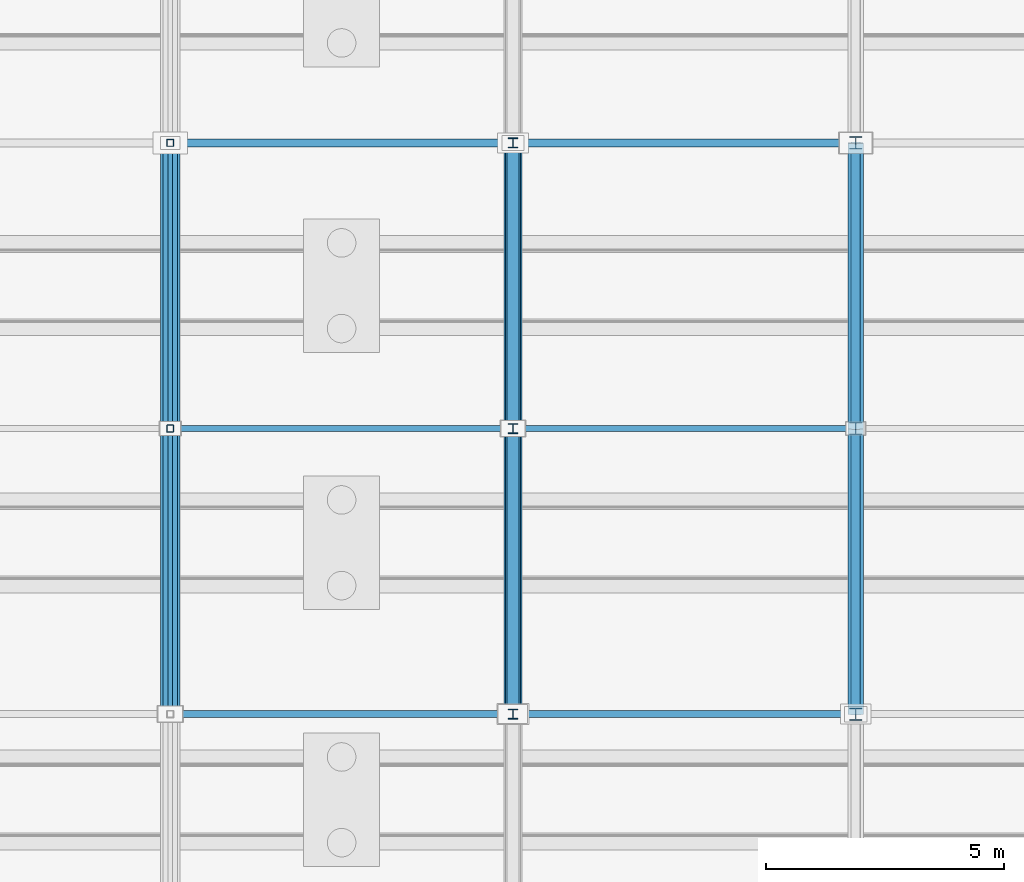
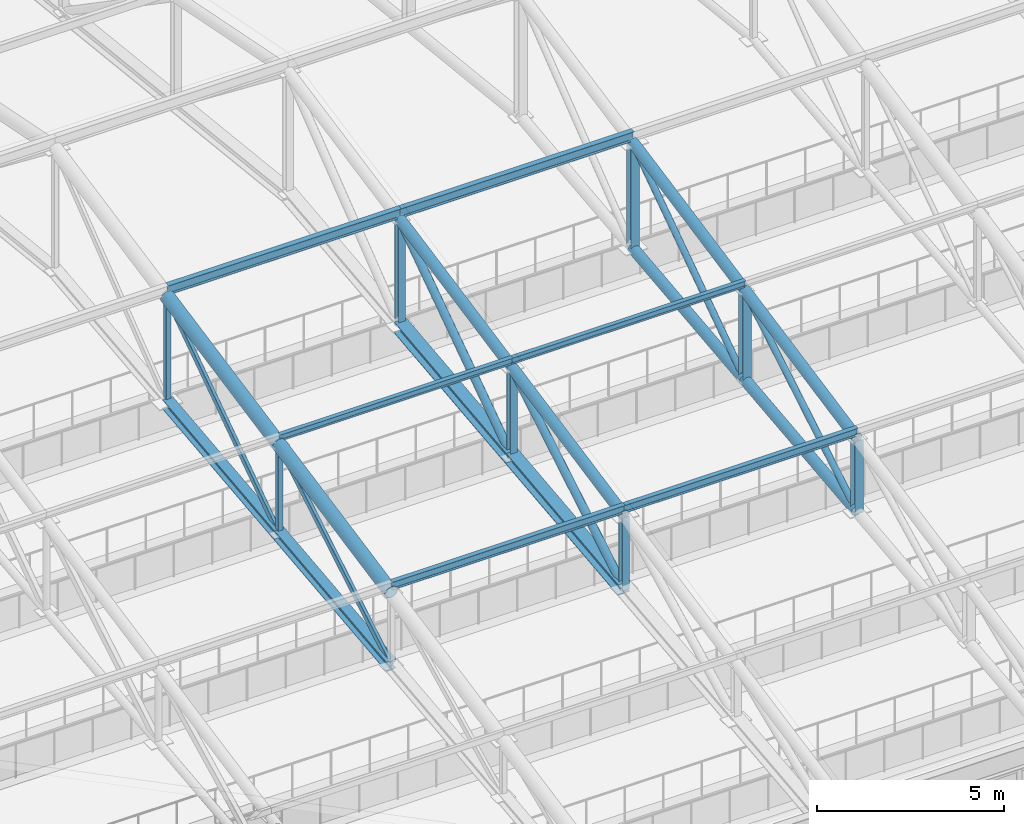
# One storey, part 141 of 293: 32 members.
"""IFC4 building model written with IfcOpenShell, lengths in metres."""

from ifc_helpers import new_model, si_unit, direction, frame, origin, origin_2d, place, context, subcontext, project, spatial, hollow_rectangle, hollow_circle, i_section, extrude, material, material_profile, profile_set, type_object, element, save


model = new_model("IFC4")

# Units and contexts
model_context = context("Model", 3, precision=1e-05, world=origin(), true_north=direction((0.0, 1.0)))
body_context = subcontext(model_context, "Body", "Model", "MODEL_VIEW")
ifc_project = project(units=[si_unit("LENGTHUNIT", "METRE"), si_unit("AREAUNIT", "SQUARE_METRE"), si_unit("VOLUMEUNIT", "CUBIC_METRE"), si_unit("PLANEANGLEUNIT", "RADIAN"), si_unit("MASSUNIT", "GRAM", prefix="KILO")], contexts=[model_context])

# Site, building, storey
site_placement = place(None, origin())
site = spatial("IfcSite", under=ifc_project, at=site_placement, CompositionType="ELEMENT")
building_placement = place(site_placement, origin())
building = spatial("IfcBuilding", under=site, at=building_placement, Name="Kemerveld Promenade Tramway Depot", CompositionType="ELEMENT")
storey_placement = place(building_placement, origin())
storey = spatial("IfcBuildingStorey", under=building, at=storey_placement, Name="L00", CompositionType="ELEMENT", Elevation=0.0)

# Members
ifc_material = material(Name="Steel S355", Category="steel")
ifc_material_profile_1 = material_profile(ifc_material, hollow_rectangle(XDim=0.10009765625, YDim=0.199951171875, WallThickness=0.008056640625, InnerFilletRadius=0.00390625, OuterFilletRadius=0.011962890625, at=origin_2d()), Name="200x100x8.0 RHS")
ifc_profile_set_1 = profile_set([ifc_material_profile_1], Name="Steel S355")
member_type_1 = type_object("IfcMemberType", Name="MB-M03", PredefinedType="BRACE", material=ifc_profile_set_1)
member_1_placement = place(storey_placement, frame((79.199951171875, 96.0, 11.1201171875), z_axis=(0.0, 0.8587636701, 0.512371895128), x_axis=(-1.0, 0.0, 0.0)))
element("IfcMember", 1, at=member_1_placement, inside=storey, type_object=member_type_1, Name="TR-12-DG-03", PredefinedType="BRACE", context=body_context, shape_type="SweptSolid", body=[
    extrude(hollow_rectangle(XDim=0.10009765625, YDim=0.199951171875, WallThickness=0.008056640625, InnerFilletRadius=0.00390625, OuterFilletRadius=0.011962890625, at=origin_2d()), origin(), (0.0, 0.0, 1.0), 6.98681640625),
])
member_2_placement = place(storey_placement, frame((79.199951171875, 102.0, 11.780029296875), z_axis=(0.0, 0.824370638462, 0.566050395673), x_axis=(-1.0, 0.0, 0.0)))
element("IfcMember", 2, at=member_2_placement, inside=storey, type_object=member_type_1, Name="TR-12-DG-04", PredefinedType="BRACE", context=body_context, shape_type="SweptSolid", body=[
    extrude(hollow_rectangle(XDim=0.10009765625, YDim=0.199951171875, WallThickness=0.008056640625, InnerFilletRadius=0.00390625, OuterFilletRadius=0.011962890625, at=origin_2d()), origin(), (0.0, 0.0, 1.0), 7.2783203125),
])
ifc_material_profile_2 = material_profile(ifc_material, i_section(OverallWidth=0.25634765625, OverallDepth=0.26025390625, WebThickness=0.01025390625, FlangeThickness=0.017333984375, FilletRadius=0.0126953125, at=origin_2d()), Name="254x254x89 UC")
ifc_profile_set_2 = profile_set([ifc_material_profile_2], Name="Steel S355")
member_type_2 = type_object("IfcMemberType", Name="MB-M04", PredefinedType="POST", material=ifc_profile_set_2)
member_3_placement = place(storey_placement, frame((93.60009765625, 96.0, 11.1201171875), z_axis=(0.0, 0.0, 1.0), x_axis=(1.0, 0.0, 0.0)))
element("IfcMember", 3, at=member_3_placement, inside=storey, type_object=member_type_2, Name="TR-14-VT-02", PredefinedType="POST", context=body_context, shape_type="SweptSolid", body=[
    extrude(i_section(OverallWidth=0.25634765625, OverallDepth=0.26025390625, WebThickness=0.01025390625, FlangeThickness=0.017333984375, FilletRadius=0.0126953125, at=origin_2d()), origin(), (0.0, 0.0, 1.0), 2.3798828125),
])
member_4_placement = place(storey_placement, frame((93.60009765625, 102.0, 11.780029296875), z_axis=(0.0, 0.0, 1.0), x_axis=(1.0, 0.0, 0.0)))
element("IfcMember", 4, at=member_4_placement, inside=storey, type_object=member_type_2, Name="TR-14-VT-03", PredefinedType="POST", context=body_context, shape_type="SweptSolid", body=[
    extrude(i_section(OverallWidth=0.25634765625, OverallDepth=0.26025390625, WebThickness=0.01025390625, FlangeThickness=0.017333984375, FilletRadius=0.0126953125, at=origin_2d()), origin(), (0.0, 0.0, 1.0), 2.919921875),
])
member_5_placement = place(storey_placement, frame((93.60009765625, 108.0, 12.43994140625), z_axis=(0.0, 0.0, 1.0), x_axis=(1.0, 0.0, 0.0)))
element("IfcMember", 5, at=member_5_placement, inside=storey, type_object=member_type_2, Name="TR-14-VT-04", PredefinedType="POST", context=body_context, shape_type="SweptSolid", body=[
    extrude(i_section(OverallWidth=0.25634765625, OverallDepth=0.26025390625, WebThickness=0.01025390625, FlangeThickness=0.017333984375, FilletRadius=0.0126953125, at=origin_2d()), origin(), (0.0, 0.0, 1.0), 3.4599609375),
])
ifc_material_profile_3 = material_profile(ifc_material, i_section(OverallWidth=0.165771484375, OverallDepth=0.306640625, WebThickness=0.006591796875, FlangeThickness=0.01171875, FilletRadius=0.0087890625, at=origin_2d()), Name="305x165x46 UB")
ifc_profile_set_3 = profile_set([ifc_material_profile_3], Name="Steel S355")
member_type_3 = type_object("IfcMemberType", Name="MB-M06", PredefinedType="PURLIN", material=ifc_profile_set_3)
member_6_placement = place(storey_placement, frame((79.199951171875, 108.0, 16.14501953125), z_axis=(1.0, 0.0, 0.0), x_axis=(0.0, 1.0, 0.0)))
element("IfcMember", 6, at=member_6_placement, inside=storey, type_object=member_type_3, Name="PUR-V1-04-12", PredefinedType="PURLIN", context=body_context, shape_type="SweptSolid", body=[
    extrude(i_section(OverallWidth=0.165771484375, OverallDepth=0.306640625, WebThickness=0.006591796875, FlangeThickness=0.01171875, FilletRadius=0.0087890625, at=origin_2d()), origin(), (0.0, 0.0, 1.0), 7.199951171875),
])
member_7_placement = place(storey_placement, frame((86.39990234375, 108.0, 16.14501953125), z_axis=(1.0, 0.0, 0.0), x_axis=(0.0, 1.0, 0.0)))
element("IfcMember", 7, at=member_7_placement, inside=storey, type_object=member_type_3, Name="PUR-V1-04-13", PredefinedType="PURLIN", context=body_context, shape_type="SweptSolid", body=[
    extrude(i_section(OverallWidth=0.165771484375, OverallDepth=0.306640625, WebThickness=0.006591796875, FlangeThickness=0.01171875, FilletRadius=0.0087890625, at=origin_2d()), origin(), (0.0, 0.0, 1.0), 7.2001953125),
])
ifc_material_profile_4 = material_profile(ifc_material, i_section(OverallWidth=0.37255859375, OverallDepth=0.3681640625, WebThickness=0.014404296875, FlangeThickness=0.023681640625, FilletRadius=0.01513671875, at=origin_2d()), Name="356x368x177 UC")
ifc_profile_set_4 = profile_set([ifc_material_profile_4], Name="Steel S355")
member_type_4 = type_object("IfcMemberType", Name="MB-M08", PredefinedType="CHORD", material=ifc_profile_set_4)
for number, where, z_axis, x_axis, name in (
    (8, (86.39990234375, 96.0, 11.1201171875), (0.0, 0.994005938353, 0.109326092585), (-1.0, 0.0, 0.0), "TR-13-BC-03"),
    (9, (86.39990234375, 102.0, 11.780029296875), (0.0, 0.994005938353, 0.109326092585), (-1.0, 0.0, 0.0), "TR-13-BC-04"),
):
    element("IfcMember", number, at=place(storey_placement, frame(where, z_axis=z_axis, x_axis=x_axis)), inside=storey, type_object=member_type_4, Name=name, PredefinedType="CHORD", context=body_context, shape_type="SweptSolid", body=[
        extrude(i_section(OverallWidth=0.37255859375, OverallDepth=0.3681640625, WebThickness=0.014404296875, FlangeThickness=0.023681640625, FilletRadius=0.01513671875, at=origin_2d()), origin(), (0.0, 0.0, 1.0), 6.0361328125),
    ])
ifc_material_profile_5 = material_profile(ifc_material, i_section(OverallWidth=0.146484375, OverallDepth=0.256103515625, WebThickness=0.00634765625, FlangeThickness=0.010986328125, FilletRadius=0.007568359375, at=origin_2d()), Name="254x146x37 UB")
ifc_profile_set_5 = profile_set([ifc_material_profile_5], Name="Steel S355")
member_type_5 = type_object("IfcMemberType", Name="MB-PR3", PredefinedType="PURLIN", material=ifc_profile_set_5)
member_8_placement = place(storey_placement, frame((79.199951171875, 96.0, 13.7451171875), z_axis=(1.0, 0.0, 0.0), x_axis=(0.0, 1.0, 0.0)))
element("IfcMember", 10, at=member_8_placement, inside=storey, type_object=member_type_5, Name="PUR-V1-02-12", PredefinedType="PURLIN", context=body_context, shape_type="SweptSolid", body=[
    extrude(i_section(OverallWidth=0.146484375, OverallDepth=0.256103515625, WebThickness=0.00634765625, FlangeThickness=0.010986328125, FilletRadius=0.007568359375, at=origin_2d()), origin(), (0.0, 0.0, 1.0), 7.199951171875),
])
member_9_placement = place(storey_placement, frame((86.39990234375, 96.0, 13.7451171875), z_axis=(1.0, 0.0, 0.0), x_axis=(0.0, 1.0, 0.0)))
element("IfcMember", 11, at=member_9_placement, inside=storey, type_object=member_type_5, Name="PUR-V1-02-13", PredefinedType="PURLIN", context=body_context, shape_type="SweptSolid", body=[
    extrude(i_section(OverallWidth=0.146484375, OverallDepth=0.256103515625, WebThickness=0.00634765625, FlangeThickness=0.010986328125, FilletRadius=0.007568359375, at=origin_2d()), origin(), (0.0, 0.0, 1.0), 7.2001953125),
])
ifc_material_profile_6 = material_profile(ifc_material, i_section(OverallWidth=0.13330078125, OverallDepth=0.203125, WebThickness=0.005615234375, FlangeThickness=0.0078125, FilletRadius=0.007568359375, at=origin_2d()), Name="203x133x25 UB")
ifc_profile_set_6 = profile_set([ifc_material_profile_6], Name="Steel S355")
member_type_6 = type_object("IfcMemberType", Name="MB-PR4", PredefinedType="PURLIN", material=ifc_profile_set_6)
member_10_placement = place(storey_placement, frame((79.199951171875, 102.0, 14.945068359375), z_axis=(1.0, 0.0, 0.0), x_axis=(0.0, 1.0, 0.0)))
element("IfcMember", 12, at=member_10_placement, inside=storey, type_object=member_type_6, Name="PUR-V1-03-12", PredefinedType="PURLIN", context=body_context, shape_type="SweptSolid", body=[
    extrude(i_section(OverallWidth=0.13330078125, OverallDepth=0.203125, WebThickness=0.005615234375, FlangeThickness=0.0078125, FilletRadius=0.007568359375, at=origin_2d()), origin(), (0.0, 0.0, 1.0), 7.199951171875),
])
member_11_placement = place(storey_placement, frame((86.39990234375, 102.0, 14.945068359375), z_axis=(1.0, 0.0, 0.0), x_axis=(0.0, 1.0, 0.0)))
element("IfcMember", 13, at=member_11_placement, inside=storey, type_object=member_type_6, Name="PUR-V1-03-13", PredefinedType="PURLIN", context=body_context, shape_type="SweptSolid", body=[
    extrude(i_section(OverallWidth=0.13330078125, OverallDepth=0.203125, WebThickness=0.005615234375, FlangeThickness=0.0078125, FilletRadius=0.007568359375, at=origin_2d()), origin(), (0.0, 0.0, 1.0), 7.2001953125),
])
ifc_material_profile_7 = material_profile(ifc_material, hollow_circle(Radius=0.122314453125, WallThickness=0.010009765625, at=origin_2d()), Name="244.5x10.0 CHS")
ifc_profile_set_7 = profile_set([ifc_material_profile_7], Name="Steel S355")
member_type_7 = type_object("IfcMemberType", Name="MB-TB1", PredefinedType="BRACE", material=ifc_profile_set_7)
member_12_placement = place(storey_placement, frame((86.39990234375, 96.0, 11.1201171875), z_axis=(0.0, 0.8587636701, 0.512371895128), x_axis=(-1.0, 0.0, 0.0)))
element("IfcMember", 14, at=member_12_placement, inside=storey, type_object=member_type_7, Name="TR-13-DG-03", PredefinedType="BRACE", context=body_context, shape_type="SweptSolid", body=[
    extrude(hollow_circle(Radius=0.122314453125, WallThickness=0.010009765625, at=origin_2d()), origin(), (0.0, 0.0, 1.0), 6.98681640625),
])
member_13_placement = place(storey_placement, frame((86.39990234375, 102.0, 11.780029296875), z_axis=(0.0, 0.824370638462, 0.566050395673), x_axis=(-1.0, 0.0, 0.0)))
element("IfcMember", 15, at=member_13_placement, inside=storey, type_object=member_type_7, Name="TR-13-DG-04", PredefinedType="BRACE", context=body_context, shape_type="SweptSolid", body=[
    extrude(hollow_circle(Radius=0.122314453125, WallThickness=0.010009765625, at=origin_2d()), origin(), (0.0, 0.0, 1.0), 7.2783203125),
])
ifc_material_profile_8 = material_profile(ifc_material, hollow_circle(Radius=0.096923828125, WallThickness=0.008056640625, at=origin_2d()), Name="193.7x8.0 CHS")
ifc_profile_set_8 = profile_set([ifc_material_profile_8], Name="Steel S355")
member_type_8 = type_object("IfcMemberType", Name="MB-TB2", PredefinedType="BRACE", material=ifc_profile_set_8)
member_14_placement = place(storey_placement, frame((93.60009765625, 96.0, 11.1201171875), z_axis=(0.0, 0.8587636701, 0.512371895128), x_axis=(-1.0, 0.0, 0.0)))
element("IfcMember", 16, at=member_14_placement, inside=storey, type_object=member_type_8, Name="TR-14-DG-03", PredefinedType="BRACE", context=body_context, shape_type="SweptSolid", body=[
    extrude(hollow_circle(Radius=0.096923828125, WallThickness=0.008056640625, at=origin_2d()), origin(), (0.0, 0.0, 1.0), 6.98681640625),
])
member_15_placement = place(storey_placement, frame((93.60009765625, 102.0, 11.780029296875), z_axis=(0.0, 0.824370638462, 0.566050395673), x_axis=(-1.0, 0.0, 0.0)))
element("IfcMember", 17, at=member_15_placement, inside=storey, type_object=member_type_8, Name="TR-14-DG-04", PredefinedType="BRACE", context=body_context, shape_type="SweptSolid", body=[
    extrude(hollow_circle(Radius=0.096923828125, WallThickness=0.008056640625, at=origin_2d()), origin(), (0.0, 0.0, 1.0), 7.2783203125),
])
ifc_material_profile_9 = material_profile(ifc_material, hollow_circle(Radius=0.203125, WallThickness=0.01611328125, at=origin_2d()), Name="406.4x16.0 CHS")
ifc_profile_set_9 = profile_set([ifc_material_profile_9], Name="Steel S355")
member_type_9 = type_object("IfcMemberType", Name="MB-TC1", PredefinedType="CHORD", material=ifc_profile_set_9)
for number, where, z_axis, x_axis, name in (
    (18, (79.199951171875, 96.0, 13.5), (0.0, 0.980582210276, 0.196108462057), (-1.0, 0.0, 0.0), "TR-12-TC-03"),
    (19, (79.199951171875, 102.0, 14.699951171875), (0.0, 0.980582210276, 0.196108462057), (-1.0, 0.0, 0.0), "TR-12-TC-04"),
):
    element("IfcMember", number, at=place(storey_placement, frame(where, z_axis=z_axis, x_axis=x_axis)), inside=storey, type_object=member_type_9, Name=name, PredefinedType="CHORD", context=body_context, shape_type="SweptSolid", body=[
        extrude(hollow_circle(Radius=0.203125, WallThickness=0.01611328125, at=origin_2d()), origin(), (0.0, 0.0, 1.0), 6.118896484375),
    ])
ifc_material_profile_10 = material_profile(ifc_material, hollow_circle(Radius=0.161865234375, WallThickness=0.012451171875, at=origin_2d()), Name="323.9x12.5 CHS")
ifc_profile_set_10 = profile_set([ifc_material_profile_10], Name="Steel S355")
member_type_10 = type_object("IfcMemberType", Name="MB-TC2", PredefinedType="CHORD", material=ifc_profile_set_10)
for number, where, z_axis, x_axis, name in (
    (20, (86.39990234375, 96.0, 13.5), (0.0, 0.980582210276, 0.196108462057), (-1.0, 0.0, 0.0), "TR-13-TC-03"),
    (21, (86.39990234375, 102.0, 14.699951171875), (0.0, 0.980582210276, 0.196108462057), (-1.0, 0.0, 0.0), "TR-13-TC-04"),
    (22, (93.60009765625, 96.0, 13.5), (0.0, 0.980582210276, 0.196108462057), (-1.0, 0.0, 0.0), "TR-14-TC-03"),
):
    element("IfcMember", number, at=place(storey_placement, frame(where, z_axis=z_axis, x_axis=x_axis)), inside=storey, type_object=member_type_10, Name=name, PredefinedType="CHORD", context=body_context, shape_type="SweptSolid", body=[
        extrude(hollow_circle(Radius=0.161865234375, WallThickness=0.012451171875, at=origin_2d()), origin(), (0.0, 0.0, 1.0), 6.118896484375),
    ])
member_16_placement = place(storey_placement, frame((93.60009765625, 96.0, 11.1201171875), z_axis=(0.0, 0.994005938353, 0.109326092585), x_axis=(-1.0, 0.0, 0.0)))
element("IfcMember", 23, at=member_16_placement, inside=storey, type_object=member_type_10, Name="TR-14-BC-03", PredefinedType="CHORD", context=body_context, shape_type="SweptSolid", body=[
    extrude(hollow_circle(Radius=0.161865234375, WallThickness=0.012451171875, at=origin_2d()), origin(), (0.0, 0.0, 1.0), 6.0361328125),
])
member_17_placement = place(storey_placement, frame((93.60009765625, 102.0, 14.699951171875), z_axis=(0.0, 0.980582210276, 0.196108462057), x_axis=(-1.0, 0.0, 0.0)))
element("IfcMember", 24, at=member_17_placement, inside=storey, type_object=member_type_10, Name="TR-14-TC-04", PredefinedType="CHORD", context=body_context, shape_type="SweptSolid", body=[
    extrude(hollow_circle(Radius=0.161865234375, WallThickness=0.012451171875, at=origin_2d()), origin(), (0.0, 0.0, 1.0), 6.118896484375),
])
member_18_placement = place(storey_placement, frame((93.60009765625, 102.0, 11.780029296875), z_axis=(0.0, 0.994005938353, 0.109326092585), x_axis=(-1.0, 0.0, 0.0)))
element("IfcMember", 25, at=member_18_placement, inside=storey, type_object=member_type_10, Name="TR-14-BC-04", PredefinedType="CHORD", context=body_context, shape_type="SweptSolid", body=[
    extrude(hollow_circle(Radius=0.161865234375, WallThickness=0.012451171875, at=origin_2d()), origin(), (0.0, 0.0, 1.0), 6.0361328125),
])
ifc_material_profile_11 = material_profile(ifc_material, i_section(OverallWidth=0.307373046875, OverallDepth=0.314453125, WebThickness=0.011962890625, FlangeThickness=0.018798828125, FilletRadius=0.01513671875, at=origin_2d()), Name="305x305x118 UC")
ifc_profile_set_11 = profile_set([ifc_material_profile_11], Name="Steel S355")
member_type_11 = type_object("IfcMemberType", Name="MB-TC4", PredefinedType="CHORD", material=ifc_profile_set_11)
for number, where, z_axis, x_axis, name in (
    (26, (79.199951171875, 96.0, 11.1201171875), (0.0, 0.994005938353, 0.109326092585), (-1.0, 0.0, 0.0), "TR-12-BC-03"),
    (27, (79.199951171875, 102.0, 11.780029296875), (0.0, 0.994005938353, 0.109326092585), (-1.0, 0.0, 0.0), "TR-12-BC-04"),
):
    element("IfcMember", number, at=place(storey_placement, frame(where, z_axis=z_axis, x_axis=x_axis)), inside=storey, type_object=member_type_11, Name=name, PredefinedType="CHORD", context=body_context, shape_type="SweptSolid", body=[
        extrude(i_section(OverallWidth=0.307373046875, OverallDepth=0.314453125, WebThickness=0.011962890625, FlangeThickness=0.018798828125, FilletRadius=0.01513671875, at=origin_2d()), origin(), (0.0, 0.0, 1.0), 6.0361328125),
    ])
ifc_material_profile_12 = material_profile(ifc_material, hollow_rectangle(XDim=0.14990234375, YDim=0.14990234375, WallThickness=0.008056640625, InnerFilletRadius=0.00390625, OuterFilletRadius=0.011962890625, at=origin_2d()), Name="150x150x8.0 SHS")
ifc_profile_set_12 = profile_set([ifc_material_profile_12], Name="Steel S355")
member_type_12 = type_object("IfcMemberType", Name="MB-TP2", PredefinedType="POST", material=ifc_profile_set_12)
member_19_placement = place(storey_placement, frame((79.199951171875, 102.0, 11.780029296875), z_axis=(0.0, 0.0, 1.0), x_axis=(1.0, 0.0, 0.0)))
element("IfcMember", 28, at=member_19_placement, inside=storey, type_object=member_type_12, Name="TR-12-VT-03", PredefinedType="POST", context=body_context, shape_type="SweptSolid", body=[
    extrude(hollow_rectangle(XDim=0.14990234375, YDim=0.14990234375, WallThickness=0.008056640625, InnerFilletRadius=0.00390625, OuterFilletRadius=0.011962890625, at=origin_2d()), origin(), (0.0, 0.0, 1.0), 2.919921875),
])
member_20_placement = place(storey_placement, frame((79.199951171875, 108.0, 12.43994140625), z_axis=(0.0, 0.0, 1.0), x_axis=(1.0, 0.0, 0.0)))
element("IfcMember", 29, at=member_20_placement, inside=storey, type_object=member_type_12, Name="TR-12-VT-04", PredefinedType="POST", context=body_context, shape_type="SweptSolid", body=[
    extrude(hollow_rectangle(XDim=0.14990234375, YDim=0.14990234375, WallThickness=0.008056640625, InnerFilletRadius=0.00390625, OuterFilletRadius=0.011962890625, at=origin_2d()), origin(), (0.0, 0.0, 1.0), 3.4599609375),
])
ifc_material_profile_13 = material_profile(ifc_material, i_section(OverallWidth=0.205810546875, OverallDepth=0.209716796875, WebThickness=0.009521484375, FlangeThickness=0.01416015625, FilletRadius=0.01025390625, at=origin_2d()), Name="203x203x60 UC")
ifc_profile_set_13 = profile_set([ifc_material_profile_13], Name="Steel S355")
member_type_13 = type_object("IfcMemberType", Name="MB-TP3", PredefinedType="POST", material=ifc_profile_set_13)
member_21_placement = place(storey_placement, frame((86.39990234375, 96.0, 11.1201171875), z_axis=(0.0, 0.0, 1.0), x_axis=(1.0, 0.0, 0.0)))
element("IfcMember", 30, at=member_21_placement, inside=storey, type_object=member_type_13, Name="TR-13-VT-02", PredefinedType="POST", context=body_context, shape_type="SweptSolid", body=[
    extrude(i_section(OverallWidth=0.205810546875, OverallDepth=0.209716796875, WebThickness=0.009521484375, FlangeThickness=0.01416015625, FilletRadius=0.01025390625, at=origin_2d()), origin(), (0.0, 0.0, 1.0), 2.3798828125),
])
member_22_placement = place(storey_placement, frame((86.39990234375, 102.0, 11.780029296875), z_axis=(0.0, 0.0, 1.0), x_axis=(1.0, 0.0, 0.0)))
element("IfcMember", 31, at=member_22_placement, inside=storey, type_object=member_type_13, Name="TR-13-VT-03", PredefinedType="POST", context=body_context, shape_type="SweptSolid", body=[
    extrude(i_section(OverallWidth=0.205810546875, OverallDepth=0.209716796875, WebThickness=0.009521484375, FlangeThickness=0.01416015625, FilletRadius=0.01025390625, at=origin_2d()), origin(), (0.0, 0.0, 1.0), 2.919921875),
])
member_23_placement = place(storey_placement, frame((86.39990234375, 108.0, 12.43994140625), z_axis=(0.0, 0.0, 1.0), x_axis=(1.0, 0.0, 0.0)))
element("IfcMember", 32, at=member_23_placement, inside=storey, type_object=member_type_13, Name="TR-13-VT-04", PredefinedType="POST", context=body_context, shape_type="SweptSolid", body=[
    extrude(i_section(OverallWidth=0.205810546875, OverallDepth=0.209716796875, WebThickness=0.009521484375, FlangeThickness=0.01416015625, FilletRadius=0.01025390625, at=origin_2d()), origin(), (0.0, 0.0, 1.0), 3.4599609375),
])

save(model, "model.ifc")
